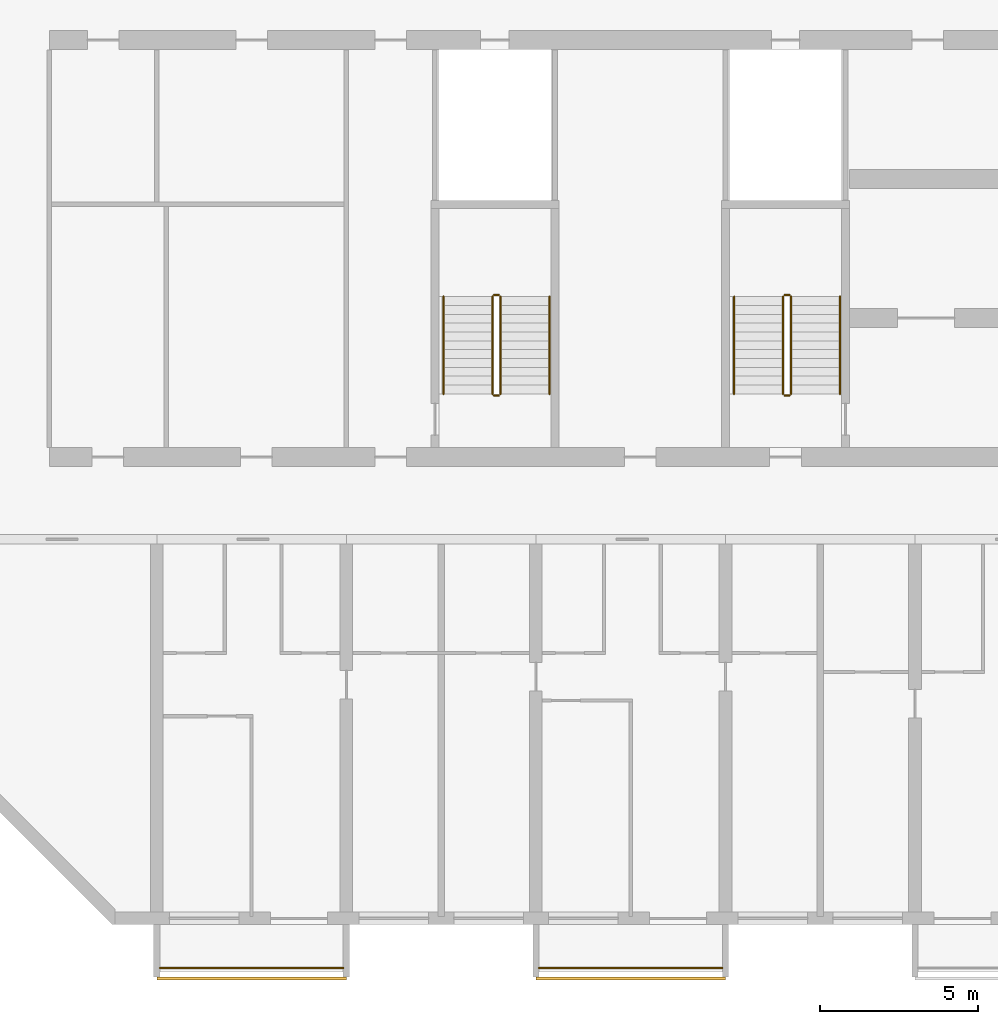
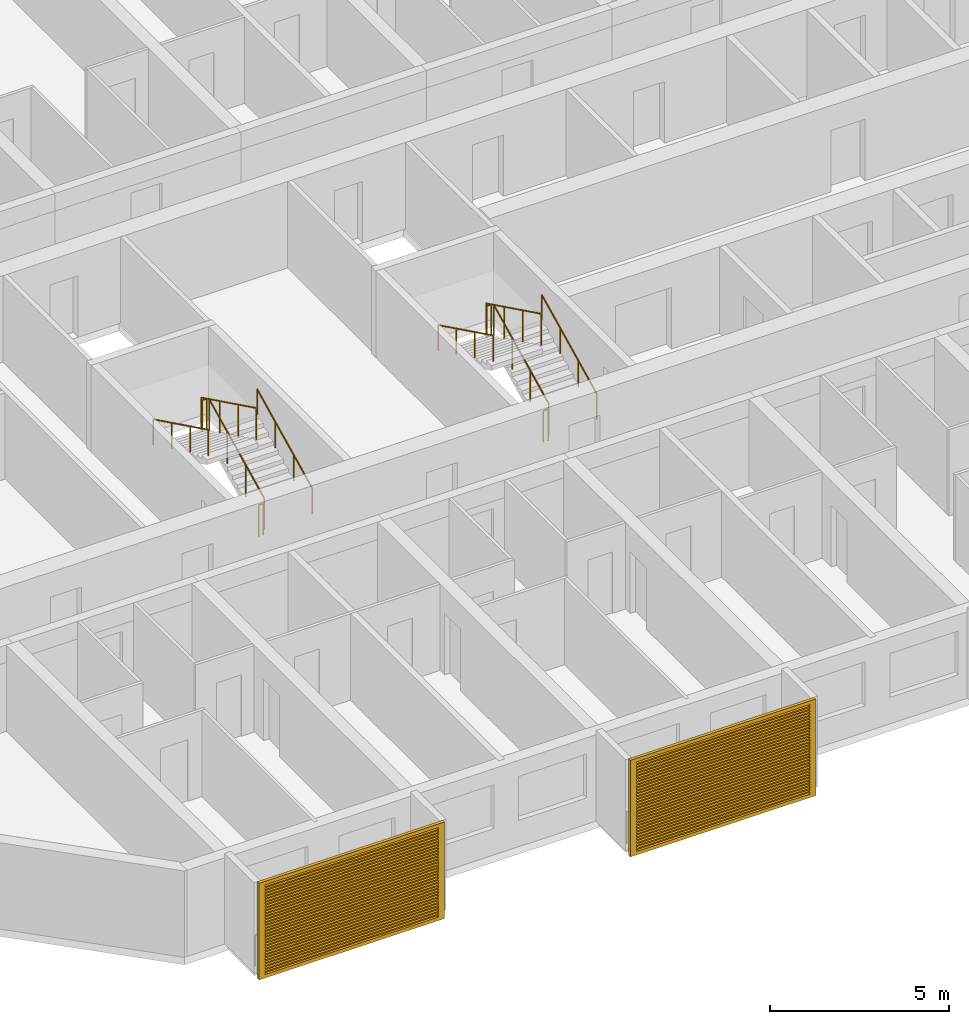
# One storey, part 18 of 39: 14 railings, 2 shading devices.
"""IFC4 building model written with IfcOpenShell, lengths in metres."""

from ifc_helpers import new_model, si_unit, direction, frame, origin, origin_2d, place, context, subcontext, project, spatial, polyline, circle, outline, extrude, source, transform, mapped, material, material_profile, profile_set, type_object, element, save


model = new_model("IFC4")

# Units and contexts
model_context = context("Model", 3, precision=1e-05, world=origin(), true_north=direction((0.0, 1.0)))
body_context = subcontext(model_context, "Body", "Model", "MODEL_VIEW")
ifc_project = project(units=[si_unit("LENGTHUNIT", "METRE"), si_unit("AREAUNIT", "SQUARE_METRE"), si_unit("VOLUMEUNIT", "CUBIC_METRE"), si_unit("PLANEANGLEUNIT", "RADIAN"), si_unit("MASSUNIT", "GRAM", prefix="KILO")], contexts=[model_context])

# Site, building, storey
site_placement = place(None, origin())
site = spatial("IfcSite", under=ifc_project, at=site_placement, CompositionType="ELEMENT")
building_placement = place(site_placement, origin())
building = spatial("IfcBuilding", under=site, at=building_placement, Name="Poui Terraces", CompositionType="ELEMENT")
storey_placement = place(building_placement, frame((0.0, 0.0, 63.0)))
storey = spatial("IfcBuildingStorey", under=building, at=storey_placement, Name="L17", CompositionType="ELEMENT", Elevation=63.0)

# Railings
ifc_material_1 = material(Name="Painted steel fretwork", Category="steel")
railing_type_1 = type_object("IfcRailingType", Name="BALCONY GUARD 1100", PredefinedType="GUARDRAIL", material=ifc_material_1)
for number, where, name in (
    (1, (12.10009765625, -1.570068359375, 0.0), "BALCONY GUARD"),
    (2, (24.10009765625, -1.570068359375, 0.0), "BALCONY GUARD"),
):
    element("IfcRailing", number, at=place(storey_placement, frame(where)), inside=storey, type_object=railing_type_1, Name=name, PredefinedType="GUARDRAIL", context=body_context, shape_type="SweptSolid", body=[
        extrude(circle(Radius=0.02392578125, at=origin_2d()), frame((0.0, 0.0, 1.076171875), z_axis=(1.0, 0.0, 0.0), x_axis=(0.0, 1.0, 0.0)), (0.0, 0.0, 1.0), 5.7998046875),
        extrude(circle(Radius=0.02099609375, at=origin_2d()), origin(), (0.0, 0.0, 1.0), 1.052001953125),
        extrude(circle(Radius=0.02099609375, at=origin_2d()), frame((0.966552734375, 0.0, 0.0)), (0.0, 0.0, 1.0), 1.052001953125),
        extrude(circle(Radius=0.02099609375, at=origin_2d()), frame((1.933349609375, 0.0, 0.0)), (0.0, 0.0, 1.0), 1.052001953125),
        extrude(circle(Radius=0.02099609375, at=origin_2d()), frame((2.89990234375, 0.0, 0.0)), (0.0, 0.0, 1.0), 1.052001953125),
        extrude(circle(Radius=0.02099609375, at=origin_2d()), frame((3.866455078125, 0.0, 0.0)), (0.0, 0.0, 1.0), 1.052001953125),
        extrude(circle(Radius=0.02099609375, at=origin_2d()), frame((4.833251953125, 0.0, 0.0)), (0.0, 0.0, 1.0), 1.052001953125),
        extrude(circle(Radius=0.02099609375, at=origin_2d()), frame((5.7998046875, 0.0, 0.0)), (0.0, 0.0, 1.0), 1.052001953125),
    ])
ifc_material_2 = material(Name="Galvanised steel balustrade", Category="steel")
railing_type_2 = type_object("IfcRailingType", Name="STAIR GUARD 1100", PredefinedType="GUARDRAIL", material=ifc_material_2)
railing_1_placement = place(storey_placement, frame((32.074951171875, 16.60009765625, 0.137451171875)))
element("IfcRailing", 3, at=railing_1_placement, inside=storey, type_object=railing_type_2, Name="L17 ST-CW stair guard 1", PredefinedType="GUARDRAIL", context=body_context, shape_type="SweptSolid", body=[
    extrude(circle(Radius=0.02392578125, at=origin_2d()), frame((0.0, 0.0, 1.076171875), z_axis=(0.0, 0.897606190399, 0.440798283751), x_axis=(-1.0, 0.0, 0.0)), (0.0, 0.0, 1.0), 3.43115234375),
    extrude(circle(Radius=0.02099609375, at=origin_2d()), origin(), (0.0, 0.0, 1.0), 1.052001953125),
    extrude(circle(Radius=0.02099609375, at=origin_2d()), frame((0.0, 1.026611328125, 0.504150390625)), (0.0, 0.0, 1.0), 1.052001953125),
    extrude(circle(Radius=0.02099609375, at=origin_2d()), frame((0.0, 2.05322265625, 1.00830078125)), (0.0, 0.0, 1.0), 1.052001953125),
    extrude(circle(Radius=0.02099609375, at=origin_2d()), frame((0.0, 3.079833984375, 1.512451171875)), (0.0, 0.0, 1.0), 1.052001953125),
])
railing_2_placement = place(storey_placement, frame((32.02490234375, 19.72998046875, 1.64990234375)))
element("IfcRailing", 4, at=railing_2_placement, inside=storey, type_object=railing_type_2, Name="L17 ST-CW stair guard 2", PredefinedType="GUARDRAIL", context=body_context, shape_type="SweptSolid", body=[
    extrude(circle(Radius=0.02392578125, at=origin_2d()), frame((0.0, 0.0, 1.076171875), z_axis=(-1.0, 0.0, 0.0), x_axis=(0.0, -1.0, 0.0)), (0.0, 0.0, 1.0), 0.14990234375),
    extrude(circle(Radius=0.02099609375, at=origin_2d()), origin(), (0.0, 0.0, 1.0), 1.052001953125),
    extrude(circle(Radius=0.02099609375, at=origin_2d()), frame((-0.14990234375, 0.0, 0.0)), (0.0, 0.0, 1.0), 1.052001953125),
])
railing_3_placement = place(storey_placement, frame((31.824951171875, 19.679931640625, 1.78759765625)))
element("IfcRailing", 5, at=railing_3_placement, inside=storey, type_object=railing_type_2, Name="L17 ST-CW stair guard 3", PredefinedType="GUARDRAIL", context=body_context, shape_type="SweptSolid", body=[
    extrude(circle(Radius=0.02392578125, at=origin_2d()), frame((0.0, 0.0, 1.076171875), z_axis=(0.0, -0.897606190399, 0.440798283751), x_axis=(1.0, 0.0, 0.0)), (0.0, 0.0, 1.0), 3.43115234375),
    extrude(circle(Radius=0.02099609375, at=origin_2d()), origin(), (0.0, 0.0, 1.0), 1.052001953125),
    extrude(circle(Radius=0.02099609375, at=origin_2d()), frame((0.0, -1.026611328125, 0.504150390625)), (0.0, 0.0, 1.0), 1.052001953125),
    extrude(circle(Radius=0.02099609375, at=origin_2d()), frame((0.0, -2.05322265625, 1.00830078125)), (0.0, 0.0, 1.0), 1.052001953125),
    extrude(circle(Radius=0.02099609375, at=origin_2d()), frame((0.0, -3.079833984375, 1.512451171875)), (0.0, 0.0, 1.0), 1.052001953125),
])
railing_4_placement = place(storey_placement, frame((32.02490234375, 16.550048828125, 0.0)))
element("IfcRailing", 6, at=railing_4_placement, inside=storey, type_object=railing_type_2, Name="L17 ST-CW stair guard 4", PredefinedType="GUARDRAIL", context=body_context, shape_type="SweptSolid", body=[
    extrude(circle(Radius=0.02392578125, at=origin_2d()), frame((0.0, 0.0, 1.076171875), z_axis=(-1.0, 0.0, 0.0), x_axis=(0.0, -1.0, 0.0)), (0.0, 0.0, 1.0), 0.14990234375),
    extrude(circle(Radius=0.02099609375, at=origin_2d()), origin(), (0.0, 0.0, 1.0), 1.052001953125),
    extrude(circle(Radius=0.02099609375, at=origin_2d()), frame((-0.14990234375, 0.0, 0.0)), (0.0, 0.0, 1.0), 1.052001953125),
])
railing_5_placement = place(storey_placement, frame((22.875, 16.60009765625, 0.137451171875)))
element("IfcRailing", 7, at=railing_5_placement, inside=storey, type_object=railing_type_2, Name="L17 ST-W stair guard 1", PredefinedType="GUARDRAIL", context=body_context, shape_type="SweptSolid", body=[
    extrude(circle(Radius=0.02392578125, at=origin_2d()), frame((0.0, 0.0, 1.076171875), z_axis=(0.0, 0.897606190399, 0.440798283751), x_axis=(-1.0, 0.0, 0.0)), (0.0, 0.0, 1.0), 3.43115234375),
    extrude(circle(Radius=0.02099609375, at=origin_2d()), origin(), (0.0, 0.0, 1.0), 1.052001953125),
    extrude(circle(Radius=0.02099609375, at=origin_2d()), frame((0.0, 1.026611328125, 0.504150390625)), (0.0, 0.0, 1.0), 1.052001953125),
    extrude(circle(Radius=0.02099609375, at=origin_2d()), frame((0.0, 2.05322265625, 1.00830078125)), (0.0, 0.0, 1.0), 1.052001953125),
    extrude(circle(Radius=0.02099609375, at=origin_2d()), frame((0.0, 3.079833984375, 1.512451171875)), (0.0, 0.0, 1.0), 1.052001953125),
])
railing_6_placement = place(storey_placement, frame((22.824951171875, 19.72998046875, 1.64990234375)))
element("IfcRailing", 8, at=railing_6_placement, inside=storey, type_object=railing_type_2, Name="L17 ST-W stair guard 2", PredefinedType="GUARDRAIL", context=body_context, shape_type="SweptSolid", body=[
    extrude(circle(Radius=0.02392578125, at=origin_2d()), frame((0.0, 0.0, 1.076171875), z_axis=(-1.0, 0.0, 0.0), x_axis=(0.0, -1.0, 0.0)), (0.0, 0.0, 1.0), 0.14990234375),
    extrude(circle(Radius=0.02099609375, at=origin_2d()), origin(), (0.0, 0.0, 1.0), 1.052001953125),
    extrude(circle(Radius=0.02099609375, at=origin_2d()), frame((-0.14990234375, 0.0, 0.0)), (0.0, 0.0, 1.0), 1.052001953125),
])
railing_7_placement = place(storey_placement, frame((22.625, 19.679931640625, 1.78759765625)))
element("IfcRailing", 9, at=railing_7_placement, inside=storey, type_object=railing_type_2, Name="L17 ST-W stair guard 3", PredefinedType="GUARDRAIL", context=body_context, shape_type="SweptSolid", body=[
    extrude(circle(Radius=0.02392578125, at=origin_2d()), frame((0.0, 0.0, 1.076171875), z_axis=(0.0, -0.897606190399, 0.440798283751), x_axis=(1.0, 0.0, 0.0)), (0.0, 0.0, 1.0), 3.43115234375),
    extrude(circle(Radius=0.02099609375, at=origin_2d()), origin(), (0.0, 0.0, 1.0), 1.052001953125),
    extrude(circle(Radius=0.02099609375, at=origin_2d()), frame((0.0, -1.026611328125, 0.504150390625)), (0.0, 0.0, 1.0), 1.052001953125),
    extrude(circle(Radius=0.02099609375, at=origin_2d()), frame((0.0, -2.05322265625, 1.00830078125)), (0.0, 0.0, 1.0), 1.052001953125),
    extrude(circle(Radius=0.02099609375, at=origin_2d()), frame((0.0, -3.079833984375, 1.512451171875)), (0.0, 0.0, 1.0), 1.052001953125),
])
railing_8_placement = place(storey_placement, frame((22.824951171875, 16.550048828125, 0.0)))
element("IfcRailing", 10, at=railing_8_placement, inside=storey, type_object=railing_type_2, Name="L17 ST-W stair guard 4", PredefinedType="GUARDRAIL", context=body_context, shape_type="SweptSolid", body=[
    extrude(circle(Radius=0.02392578125, at=origin_2d()), frame((0.0, 0.0, 1.076171875), z_axis=(-1.0, 0.0, 0.0), x_axis=(0.0, -1.0, 0.0)), (0.0, 0.0, 1.0), 0.14990234375),
    extrude(circle(Radius=0.02099609375, at=origin_2d()), origin(), (0.0, 0.0, 1.0), 1.052001953125),
    extrude(circle(Radius=0.02099609375, at=origin_2d()), frame((-0.14990234375, 0.0, 0.0)), (0.0, 0.0, 1.0), 1.052001953125),
])
ifc_material_3 = material(Name="Stainless steel handrail", Category="steel")
railing_type_3 = type_object("IfcRailingType", Name="STAIR HANDRAIL 900", PredefinedType="HANDRAIL", material=ifc_material_3)
railing_9_placement = place(storey_placement, frame((33.625, 16.60009765625, 0.137451171875)))
element("IfcRailing", 11, at=railing_9_placement, inside=storey, type_object=railing_type_3, Name="L17 ST-CW stair handrail 1", PredefinedType="HANDRAIL", context=body_context, shape_type="SweptSolid", body=[
    extrude(circle(Radius=0.02392578125, at=origin_2d()), frame((0.0, 0.0, 0.8759765625), z_axis=(0.0, 0.897606190399, 0.440798283751), x_axis=(-1.0, 0.0, 0.0)), (0.0, 0.0, 1.0), 3.43115234375),
    extrude(circle(Radius=0.02099609375, at=origin_2d()), origin(), (0.0, 0.0, 1.0), 0.851806640625),
    extrude(circle(Radius=0.02099609375, at=origin_2d()), frame((0.0, 1.026611328125, 0.504150390625)), (0.0, 0.0, 1.0), 0.851806640625),
    extrude(circle(Radius=0.02099609375, at=origin_2d()), frame((0.0, 2.05322265625, 1.00830078125)), (0.0, 0.0, 1.0), 0.851806640625),
    extrude(circle(Radius=0.02099609375, at=origin_2d()), frame((0.0, 3.079833984375, 1.512451171875)), (0.0, 0.0, 1.0), 0.851806640625),
])
railing_10_placement = place(storey_placement, frame((30.27490234375, 19.679931640625, 1.78759765625)))
element("IfcRailing", 12, at=railing_10_placement, inside=storey, type_object=railing_type_3, Name="L17 ST-CW stair handrail 2", PredefinedType="HANDRAIL", context=body_context, shape_type="SweptSolid", body=[
    extrude(circle(Radius=0.02392578125, at=origin_2d()), frame((0.0, 0.0, 0.8759765625), z_axis=(0.0, -0.897606190399, 0.440798283751), x_axis=(1.0, 0.0, 0.0)), (0.0, 0.0, 1.0), 3.43115234375),
    extrude(circle(Radius=0.02099609375, at=origin_2d()), origin(), (0.0, 0.0, 1.0), 0.851806640625),
    extrude(circle(Radius=0.02099609375, at=origin_2d()), frame((0.0, -1.026611328125, 0.504150390625)), (0.0, 0.0, 1.0), 0.851806640625),
    extrude(circle(Radius=0.02099609375, at=origin_2d()), frame((0.0, -2.05322265625, 1.00830078125)), (0.0, 0.0, 1.0), 0.851806640625),
    extrude(circle(Radius=0.02099609375, at=origin_2d()), frame((0.0, -3.079833984375, 1.512451171875)), (0.0, 0.0, 1.0), 0.851806640625),
])
railing_11_placement = place(storey_placement, frame((24.425048828125, 16.60009765625, 0.137451171875)))
element("IfcRailing", 13, at=railing_11_placement, inside=storey, type_object=railing_type_3, Name="L17 ST-W stair handrail 1", PredefinedType="HANDRAIL", context=body_context, shape_type="SweptSolid", body=[
    extrude(circle(Radius=0.02392578125, at=origin_2d()), frame((0.0, 0.0, 0.8759765625), z_axis=(0.0, 0.897606190399, 0.440798283751), x_axis=(-1.0, 0.0, 0.0)), (0.0, 0.0, 1.0), 3.43115234375),
    extrude(circle(Radius=0.02099609375, at=origin_2d()), origin(), (0.0, 0.0, 1.0), 0.851806640625),
    extrude(circle(Radius=0.02099609375, at=origin_2d()), frame((0.0, 1.026611328125, 0.504150390625)), (0.0, 0.0, 1.0), 0.851806640625),
    extrude(circle(Radius=0.02099609375, at=origin_2d()), frame((0.0, 2.05322265625, 1.00830078125)), (0.0, 0.0, 1.0), 0.851806640625),
    extrude(circle(Radius=0.02099609375, at=origin_2d()), frame((0.0, 3.079833984375, 1.512451171875)), (0.0, 0.0, 1.0), 0.851806640625),
])
railing_12_placement = place(storey_placement, frame((21.074951171875, 19.679931640625, 1.78759765625)))
element("IfcRailing", 14, at=railing_12_placement, inside=storey, type_object=railing_type_3, Name="L17 ST-W stair handrail 2", PredefinedType="HANDRAIL", context=body_context, shape_type="SweptSolid", body=[
    extrude(circle(Radius=0.02392578125, at=origin_2d()), frame((0.0, 0.0, 0.8759765625), z_axis=(0.0, -0.897606190399, 0.440798283751), x_axis=(1.0, 0.0, 0.0)), (0.0, 0.0, 1.0), 3.43115234375),
    extrude(circle(Radius=0.02099609375, at=origin_2d()), origin(), (0.0, 0.0, 1.0), 0.851806640625),
    extrude(circle(Radius=0.02099609375, at=origin_2d()), frame((0.0, -1.026611328125, 0.504150390625)), (0.0, 0.0, 1.0), 0.851806640625),
    extrude(circle(Radius=0.02099609375, at=origin_2d()), frame((0.0, -2.05322265625, 1.00830078125)), (0.0, 0.0, 1.0), 0.851806640625),
    extrude(circle(Radius=0.02099609375, at=origin_2d()), frame((0.0, -3.079833984375, 1.512451171875)), (0.0, 0.0, 1.0), 0.851806640625),
])

# Shading devices
ifc_material_4 = material(Name="Aluminium louvre", Category="aluminium")
ifc_material_profile = material_profile(ifc_material_4, outline(polyline([(-3.0, -1.64990234375), (3.0, -1.64990234375), (3.0, 1.64990234375), (-3.0, 1.64990234375), (-3.0, -1.64990234375)]), holes=[polyline([(-2.800048828125, -1.530029296875), (2.800048828125, -1.530029296875), (2.800048828125, -1.469970703125), (-2.800048828125, -1.469970703125), (-2.800048828125, -1.530029296875)]), polyline([(-2.800048828125, -1.429931640625), (2.800048828125, -1.429931640625), (2.800048828125, -1.3701171875), (-2.800048828125, -1.3701171875), (-2.800048828125, -1.429931640625)]), polyline([(-2.800048828125, -1.330078125), (2.800048828125, -1.330078125), (2.800048828125, -1.27001953125), (-2.800048828125, -1.27001953125), (-2.800048828125, -1.330078125)]), polyline([(-2.800048828125, -1.22998046875), (2.800048828125, -1.22998046875), (2.800048828125, -1.169921875), (-2.800048828125, -1.169921875), (-2.800048828125, -1.22998046875)]), polyline([(-2.800048828125, -1.1298828125), (2.800048828125, -1.1298828125), (2.800048828125, -1.070068359375), (-2.800048828125, -1.070068359375), (-2.800048828125, -1.1298828125)]), polyline([(-2.800048828125, -1.030029296875), (2.800048828125, -1.030029296875), (2.800048828125, -0.969970703125), (-2.800048828125, -0.969970703125), (-2.800048828125, -1.030029296875)]), polyline([(-2.800048828125, -0.929931640625), (2.800048828125, -0.929931640625), (2.800048828125, -0.8701171875), (-2.800048828125, -0.8701171875), (-2.800048828125, -0.929931640625)]), polyline([(-2.800048828125, -0.830078125), (2.800048828125, -0.830078125), (2.800048828125, -0.77001953125), (-2.800048828125, -0.77001953125), (-2.800048828125, -0.830078125)]), polyline([(-2.800048828125, -0.72998046875), (2.800048828125, -0.72998046875), (2.800048828125, -0.669921875), (-2.800048828125, -0.669921875), (-2.800048828125, -0.72998046875)]), polyline([(-2.800048828125, -0.6298828125), (2.800048828125, -0.6298828125), (2.800048828125, -0.570068359375), (-2.800048828125, -0.570068359375), (-2.800048828125, -0.6298828125)]), polyline([(-2.800048828125, -0.530029296875), (2.800048828125, -0.530029296875), (2.800048828125, -0.469970703125), (-2.800048828125, -0.469970703125), (-2.800048828125, -0.530029296875)]), polyline([(-2.800048828125, -0.429931640625), (2.800048828125, -0.429931640625), (2.800048828125, -0.3701171875), (-2.800048828125, -0.3701171875), (-2.800048828125, -0.429931640625)]), polyline([(-2.800048828125, -0.330078125), (2.800048828125, -0.330078125), (2.800048828125, -0.27001953125), (-2.800048828125, -0.27001953125), (-2.800048828125, -0.330078125)]), polyline([(-2.800048828125, -0.22998046875), (2.800048828125, -0.22998046875), (2.800048828125, -0.169921875), (-2.800048828125, -0.169921875), (-2.800048828125, -0.22998046875)]), polyline([(-2.800048828125, -0.1298828125), (2.800048828125, -0.1298828125), (2.800048828125, -0.070068359375), (-2.800048828125, -0.070068359375), (-2.800048828125, -0.1298828125)]), polyline([(-2.800048828125, -0.030029296875), (2.800048828125, -0.030029296875), (2.800048828125, 0.030029296875), (-2.800048828125, 0.030029296875), (-2.800048828125, -0.030029296875)]), polyline([(-2.800048828125, 0.070068359375), (2.800048828125, 0.070068359375), (2.800048828125, 0.1298828125), (-2.800048828125, 0.1298828125), (-2.800048828125, 0.070068359375)]), polyline([(-2.800048828125, 0.169921875), (2.800048828125, 0.169921875), (2.800048828125, 0.22998046875), (-2.800048828125, 0.22998046875), (-2.800048828125, 0.169921875)]), polyline([(-2.800048828125, 0.27001953125), (2.800048828125, 0.27001953125), (2.800048828125, 0.330078125), (-2.800048828125, 0.330078125), (-2.800048828125, 0.27001953125)]), polyline([(-2.800048828125, 0.3701171875), (2.800048828125, 0.3701171875), (2.800048828125, 0.429931640625), (-2.800048828125, 0.429931640625), (-2.800048828125, 0.3701171875)]), polyline([(-2.800048828125, 0.469970703125), (2.800048828125, 0.469970703125), (2.800048828125, 0.530029296875), (-2.800048828125, 0.530029296875), (-2.800048828125, 0.469970703125)]), polyline([(-2.800048828125, 0.570068359375), (2.800048828125, 0.570068359375), (2.800048828125, 0.6298828125), (-2.800048828125, 0.6298828125), (-2.800048828125, 0.570068359375)]), polyline([(-2.800048828125, 0.669921875), (2.800048828125, 0.669921875), (2.800048828125, 0.72998046875), (-2.800048828125, 0.72998046875), (-2.800048828125, 0.669921875)]), polyline([(-2.800048828125, 0.77001953125), (2.800048828125, 0.77001953125), (2.800048828125, 0.830078125), (-2.800048828125, 0.830078125), (-2.800048828125, 0.77001953125)]), polyline([(-2.800048828125, 0.8701171875), (2.800048828125, 0.8701171875), (2.800048828125, 0.929931640625), (-2.800048828125, 0.929931640625), (-2.800048828125, 0.8701171875)]), polyline([(-2.800048828125, 0.969970703125), (2.800048828125, 0.969970703125), (2.800048828125, 1.030029296875), (-2.800048828125, 1.030029296875), (-2.800048828125, 0.969970703125)]), polyline([(-2.800048828125, 1.070068359375), (2.800048828125, 1.070068359375), (2.800048828125, 1.1298828125), (-2.800048828125, 1.1298828125), (-2.800048828125, 1.070068359375)]), polyline([(-2.800048828125, 1.169921875), (2.800048828125, 1.169921875), (2.800048828125, 1.22998046875), (-2.800048828125, 1.22998046875), (-2.800048828125, 1.169921875)]), polyline([(-2.800048828125, 1.27001953125), (2.800048828125, 1.27001953125), (2.800048828125, 1.330078125), (-2.800048828125, 1.330078125), (-2.800048828125, 1.27001953125)]), polyline([(-2.800048828125, 1.3701171875), (2.800048828125, 1.3701171875), (2.800048828125, 1.429931640625), (-2.800048828125, 1.429931640625), (-2.800048828125, 1.3701171875)]), polyline([(-2.800048828125, 1.469970703125), (2.800048828125, 1.469970703125), (2.800048828125, 1.530029296875), (-2.800048828125, 1.530029296875), (-2.800048828125, 1.469970703125)])]), Name="JALOUSIE LOUVRE SHUTTER 6000X3300")
ifc_profile_set = profile_set([ifc_material_profile], Name="Aluminium louvre")
shading_device_type = type_object("IfcShadingDeviceType", Name="JALOUSIE LOUVRE SHUTTER 6000X3300", PredefinedType="JALOUSIE", material=ifc_profile_set)
shared_shape = source(origin(), body_context, "Body", "SweptSolid", [
    extrude(outline(polyline([(-3.0, -1.64990234375), (3.0, -1.64990234375), (3.0, 1.64990234375), (-3.0, 1.64990234375), (-3.0, -1.64990234375)]), holes=[polyline([(-2.800048828125, -1.530029296875), (2.800048828125, -1.530029296875), (2.800048828125, -1.469970703125), (-2.800048828125, -1.469970703125), (-2.800048828125, -1.530029296875)]), polyline([(-2.800048828125, -1.429931640625), (2.800048828125, -1.429931640625), (2.800048828125, -1.3701171875), (-2.800048828125, -1.3701171875), (-2.800048828125, -1.429931640625)]), polyline([(-2.800048828125, -1.330078125), (2.800048828125, -1.330078125), (2.800048828125, -1.27001953125), (-2.800048828125, -1.27001953125), (-2.800048828125, -1.330078125)]), polyline([(-2.800048828125, -1.22998046875), (2.800048828125, -1.22998046875), (2.800048828125, -1.169921875), (-2.800048828125, -1.169921875), (-2.800048828125, -1.22998046875)]), polyline([(-2.800048828125, -1.1298828125), (2.800048828125, -1.1298828125), (2.800048828125, -1.070068359375), (-2.800048828125, -1.070068359375), (-2.800048828125, -1.1298828125)]), polyline([(-2.800048828125, -1.030029296875), (2.800048828125, -1.030029296875), (2.800048828125, -0.969970703125), (-2.800048828125, -0.969970703125), (-2.800048828125, -1.030029296875)]), polyline([(-2.800048828125, -0.929931640625), (2.800048828125, -0.929931640625), (2.800048828125, -0.8701171875), (-2.800048828125, -0.8701171875), (-2.800048828125, -0.929931640625)]), polyline([(-2.800048828125, -0.830078125), (2.800048828125, -0.830078125), (2.800048828125, -0.77001953125), (-2.800048828125, -0.77001953125), (-2.800048828125, -0.830078125)]), polyline([(-2.800048828125, -0.72998046875), (2.800048828125, -0.72998046875), (2.800048828125, -0.669921875), (-2.800048828125, -0.669921875), (-2.800048828125, -0.72998046875)]), polyline([(-2.800048828125, -0.6298828125), (2.800048828125, -0.6298828125), (2.800048828125, -0.570068359375), (-2.800048828125, -0.570068359375), (-2.800048828125, -0.6298828125)]), polyline([(-2.800048828125, -0.530029296875), (2.800048828125, -0.530029296875), (2.800048828125, -0.469970703125), (-2.800048828125, -0.469970703125), (-2.800048828125, -0.530029296875)]), polyline([(-2.800048828125, -0.429931640625), (2.800048828125, -0.429931640625), (2.800048828125, -0.3701171875), (-2.800048828125, -0.3701171875), (-2.800048828125, -0.429931640625)]), polyline([(-2.800048828125, -0.330078125), (2.800048828125, -0.330078125), (2.800048828125, -0.27001953125), (-2.800048828125, -0.27001953125), (-2.800048828125, -0.330078125)]), polyline([(-2.800048828125, -0.22998046875), (2.800048828125, -0.22998046875), (2.800048828125, -0.169921875), (-2.800048828125, -0.169921875), (-2.800048828125, -0.22998046875)]), polyline([(-2.800048828125, -0.1298828125), (2.800048828125, -0.1298828125), (2.800048828125, -0.070068359375), (-2.800048828125, -0.070068359375), (-2.800048828125, -0.1298828125)]), polyline([(-2.800048828125, -0.030029296875), (2.800048828125, -0.030029296875), (2.800048828125, 0.030029296875), (-2.800048828125, 0.030029296875), (-2.800048828125, -0.030029296875)]), polyline([(-2.800048828125, 0.070068359375), (2.800048828125, 0.070068359375), (2.800048828125, 0.1298828125), (-2.800048828125, 0.1298828125), (-2.800048828125, 0.070068359375)]), polyline([(-2.800048828125, 0.169921875), (2.800048828125, 0.169921875), (2.800048828125, 0.22998046875), (-2.800048828125, 0.22998046875), (-2.800048828125, 0.169921875)]), polyline([(-2.800048828125, 0.27001953125), (2.800048828125, 0.27001953125), (2.800048828125, 0.330078125), (-2.800048828125, 0.330078125), (-2.800048828125, 0.27001953125)]), polyline([(-2.800048828125, 0.3701171875), (2.800048828125, 0.3701171875), (2.800048828125, 0.429931640625), (-2.800048828125, 0.429931640625), (-2.800048828125, 0.3701171875)]), polyline([(-2.800048828125, 0.469970703125), (2.800048828125, 0.469970703125), (2.800048828125, 0.530029296875), (-2.800048828125, 0.530029296875), (-2.800048828125, 0.469970703125)]), polyline([(-2.800048828125, 0.570068359375), (2.800048828125, 0.570068359375), (2.800048828125, 0.6298828125), (-2.800048828125, 0.6298828125), (-2.800048828125, 0.570068359375)]), polyline([(-2.800048828125, 0.669921875), (2.800048828125, 0.669921875), (2.800048828125, 0.72998046875), (-2.800048828125, 0.72998046875), (-2.800048828125, 0.669921875)]), polyline([(-2.800048828125, 0.77001953125), (2.800048828125, 0.77001953125), (2.800048828125, 0.830078125), (-2.800048828125, 0.830078125), (-2.800048828125, 0.77001953125)]), polyline([(-2.800048828125, 0.8701171875), (2.800048828125, 0.8701171875), (2.800048828125, 0.929931640625), (-2.800048828125, 0.929931640625), (-2.800048828125, 0.8701171875)]), polyline([(-2.800048828125, 0.969970703125), (2.800048828125, 0.969970703125), (2.800048828125, 1.030029296875), (-2.800048828125, 1.030029296875), (-2.800048828125, 0.969970703125)]), polyline([(-2.800048828125, 1.070068359375), (2.800048828125, 1.070068359375), (2.800048828125, 1.1298828125), (-2.800048828125, 1.1298828125), (-2.800048828125, 1.070068359375)]), polyline([(-2.800048828125, 1.169921875), (2.800048828125, 1.169921875), (2.800048828125, 1.22998046875), (-2.800048828125, 1.22998046875), (-2.800048828125, 1.169921875)]), polyline([(-2.800048828125, 1.27001953125), (2.800048828125, 1.27001953125), (2.800048828125, 1.330078125), (-2.800048828125, 1.330078125), (-2.800048828125, 1.27001953125)]), polyline([(-2.800048828125, 1.3701171875), (2.800048828125, 1.3701171875), (2.800048828125, 1.429931640625), (-2.800048828125, 1.429931640625), (-2.800048828125, 1.3701171875)]), polyline([(-2.800048828125, 1.469970703125), (2.800048828125, 1.469970703125), (2.800048828125, 1.530029296875), (-2.800048828125, 1.530029296875), (-2.800048828125, 1.469970703125)])]), origin(), (0.0, 0.0, 1.0), 0.099853515625),
])
for number, where, z_axis, x_axis, name in (
    (15, (15.0, -1.85009765625, 1.449951171875), (0.0, -1.0, 0.0), (1.0, 0.0, 0.0), "JALOUSIE LOUVRE SHUTTER"),
    (16, (27.0, -1.85009765625, 1.449951171875), (0.0, -1.0, 0.0), (1.0, 0.0, 0.0), "JALOUSIE LOUVRE SHUTTER"),
):
    element("IfcShadingDevice", number, at=place(storey_placement, frame(where, z_axis=z_axis, x_axis=x_axis)), inside=storey, type_object=shading_device_type, Name=name, PredefinedType="JALOUSIE", context=body_context, shape_type="MappedRepresentation", body=[
        mapped(shared_shape, transform((0.0, 0.0, 0.0))),
    ])

save(model, "model.ifc")
